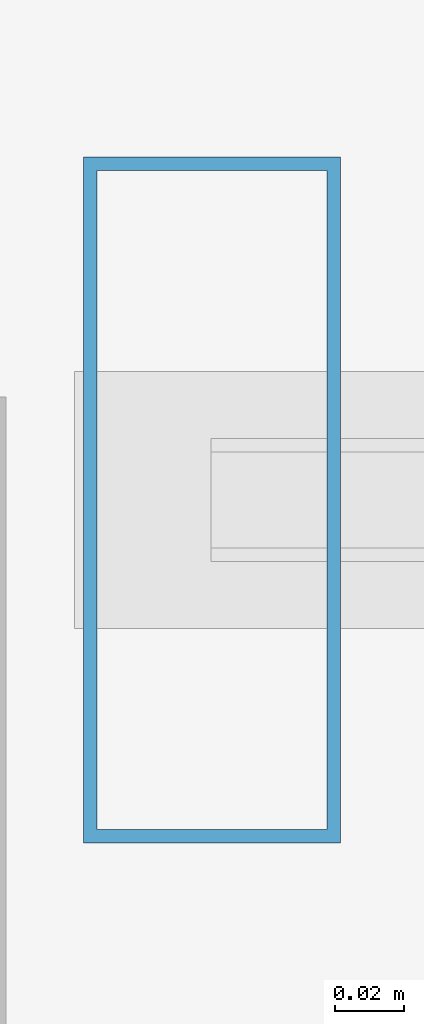
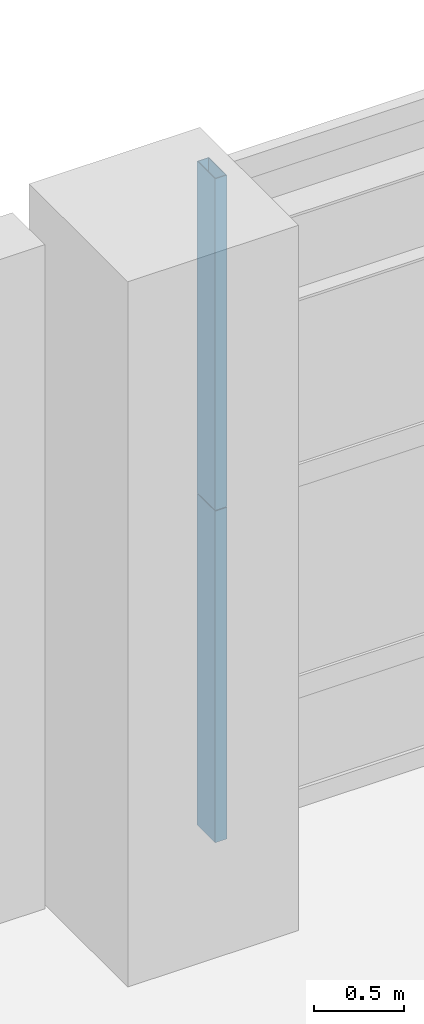
# One storey, part 19 of 38: 2 members, 1 element without a shape of its own.
"""IFC4 building model written with IfcOpenShell, lengths in metres."""

from ifc_helpers import new_model, si_unit, direction, frame, origin, origin_2d, place, context, subcontext, project, spatial, hollow_rectangle, extrude, source, transform, mapped, material, layer, layer_set, material_profile, profile_set, type_object, element, aggregate, save


model = new_model("IFC4")

# Units and contexts
model_context = context("Model", 3, precision=1e-05, world=origin(), true_north=direction((0.0, 1.0)))
body_context = subcontext(model_context, "Body", "Model", "MODEL_VIEW")
ifc_project = project(units=[si_unit("LENGTHUNIT", "METRE"), si_unit("AREAUNIT", "SQUARE_METRE"), si_unit("VOLUMEUNIT", "CUBIC_METRE"), si_unit("PLANEANGLEUNIT", "RADIAN"), si_unit("MASSUNIT", "GRAM", prefix="KILO"), si_unit("THERMODYNAMICTEMPERATUREUNIT", "KELVIN"), si_unit("POWERUNIT", "WATT")], contexts=[model_context])

# Site, building, storey
site_placement = place(None, origin())
site = spatial("IfcSite", under=ifc_project, at=site_placement, CompositionType="ELEMENT")
building_placement = place(site_placement, origin())
building = spatial("IfcBuilding", under=site, at=building_placement, Name="Yuzanri Waterfront Tower", CompositionType="ELEMENT")
storey_placement = place(building_placement, frame((0.0, 0.0, 10.199951171875)))
storey = spatial("IfcBuildingStorey", under=building, at=storey_placement, Name="L03", CompositionType="ELEMENT", Elevation=10.199951171875)

# Curtain wall, members
ifc_material_1 = material(Name="Anodized Architectural Bronze", Category="metal")
ifc_layer = layer(ifc_material_1, 0.159912109375)
ifc_layer_set = layer_set([ifc_layer], Name="Anodized Architectural Bronze")
curtain_wall_type = type_object("IfcCurtainWallType", Name="Anodized Bronze Podium Waterfront Double-Height Unitized Curtain Wall 8400", PredefinedType="NOTDEFINED", material=ifc_layer_set)
curtain_wall_placement = place(storey_placement, origin())
curtain_wall = element("IfcCurtainWall", 1, at=curtain_wall_placement, inside=storey, type_object=curtain_wall_type, Name="L03 Curtain Wall CW-L03-N1", PredefinedType="NOTDEFINED")
ifc_material_2 = material(Name="Anodized Architectural Bronze", Category="metal")
ifc_material_profile = material_profile(ifc_material_2, hollow_rectangle(XDim=0.074951171875, YDim=0.199951171875, WallThickness=0.00390625, at=origin_2d()), Name="CWM 75x200")
ifc_profile_set = profile_set([ifc_material_profile], Name="Anodized Architectural Bronze")
member_type = type_object("IfcMemberType", Name="Anodized Bronze Primary Curtain-Wall Mullion 75x200", PredefinedType="MULLION", material=ifc_profile_set)
shared_shape = source(origin(), body_context, "Body", "SweptSolid", [
    extrude(hollow_rectangle(XDim=0.074951171875, YDim=0.199951171875, WallThickness=0.00390625, at=origin_2d()), origin(), (0.0, 0.0, 1.0), 2.258056640625),
])
member_1_placement = place(storey_placement, frame((16.110107421875, 49.6201171875, 0.0), z_axis=(0.0, 0.0, 1.0), x_axis=(1.0, 0.0, 0.0)))
member_1 = element("IfcMember", 2, at=member_1_placement, type_object=member_type, Name="CW-L03-N1 Lower Mullion 00", PredefinedType="MULLION", context=body_context, shape_type="MappedRepresentation", body=[
    mapped(shared_shape, transform((0.0, 0.0, 0.0), scale=1.0)),
])
member_2_placement = place(storey_placement, frame((16.110107421875, 49.6201171875, 2.261962890625), z_axis=(0.0, 0.0, 1.0), x_axis=(1.0, 0.0, 0.0)))
member_2 = element("IfcMember", 3, at=member_2_placement, type_object=member_type, Name="CW-L03-N1 Upper Mullion 00", PredefinedType="MULLION", context=body_context, shape_type="MappedRepresentation", body=[
    mapped(shared_shape, transform((0.0, 0.0, 0.0), scale=1.0)),
])
aggregate(curtain_wall, [member_1, member_2])

save(model, "model.ifc")
